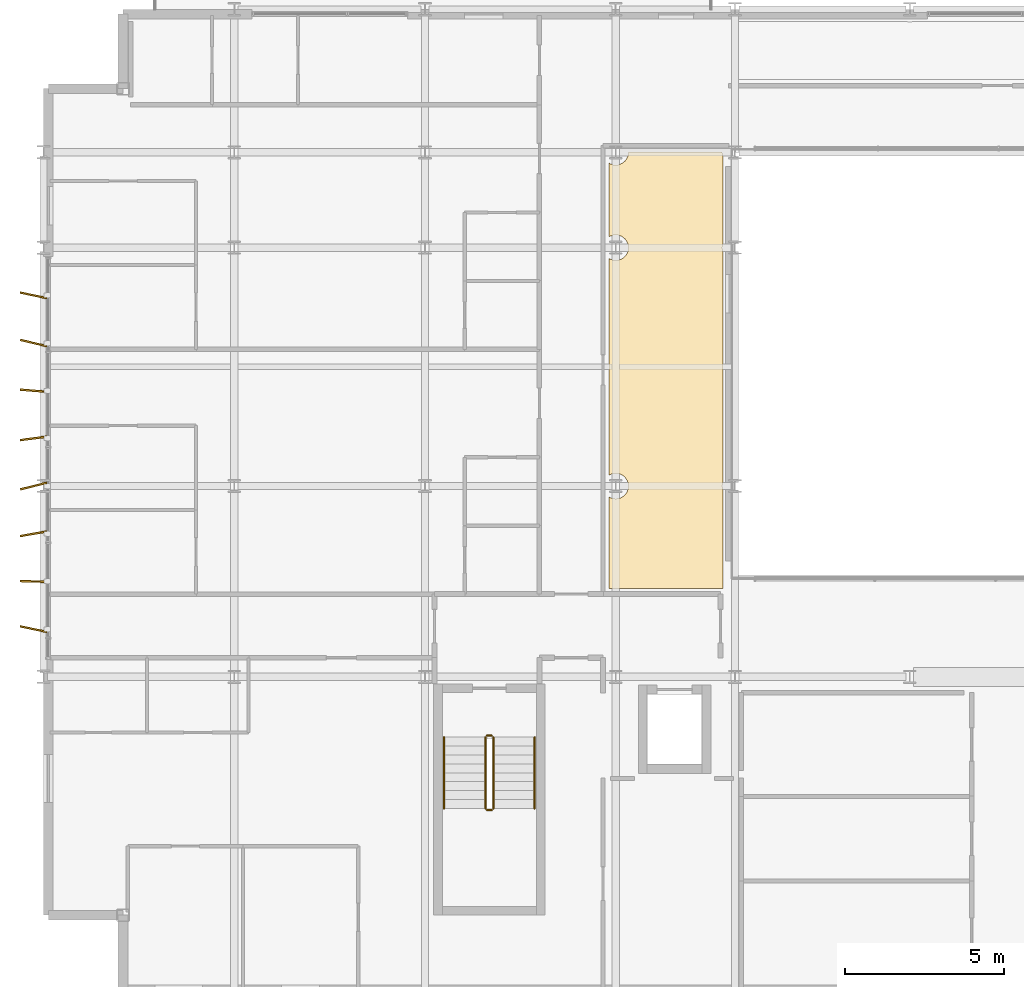
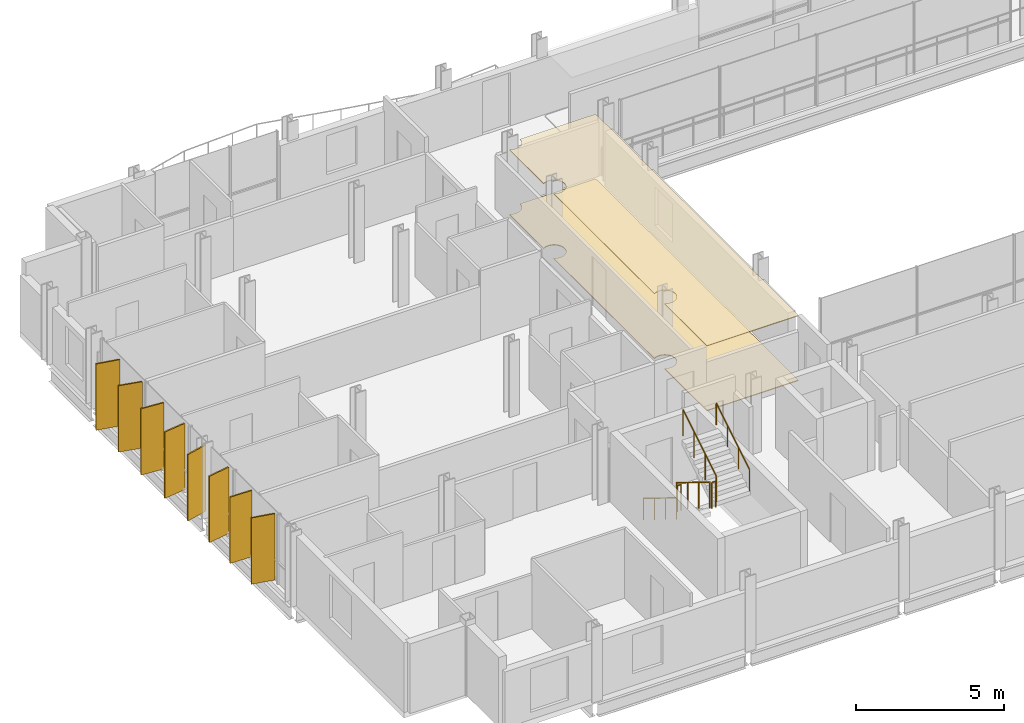
# One storey, part 36 of 38: 8 shading devices, 6 railings, 2 coverings.
"""IFC4 building model written with IfcOpenShell, lengths in metres."""

from ifc_helpers import new_model, si_unit, direction, frame, origin, origin_2d, place, context, subcontext, project, spatial, polyline, rectangle, circle, outline, extrude, material, layer, layer_set, type_object, element, save


model = new_model("IFC4")

# Units and contexts
model_context = context("Model", 3, precision=1e-05, world=origin(), true_north=direction((0.0, 1.0)))
body_context = subcontext(model_context, "Body", "Model", "MODEL_VIEW")
ifc_project = project(units=[si_unit("LENGTHUNIT", "METRE"), si_unit("AREAUNIT", "SQUARE_METRE"), si_unit("VOLUMEUNIT", "CUBIC_METRE"), si_unit("PLANEANGLEUNIT", "RADIAN"), si_unit("MASSUNIT", "GRAM", prefix="KILO")], contexts=[model_context])

# Site, building, storey
site_placement = place(None, origin())
site = spatial("IfcSite", under=ifc_project, at=site_placement, CompositionType="ELEMENT")
building_placement = place(site_placement, origin())
building = spatial("IfcBuilding", under=site, at=building_placement, Name="Brevholm Reach", CompositionType="ELEMENT")
storey_placement = place(building_placement, frame((0.0, 0.0, 141.800048828125)))
storey = spatial("IfcBuildingStorey", under=building, at=storey_placement, Name="L42", CompositionType="ELEMENT", Elevation=141.800048828125)

# Coverings
ifc_material_1 = material(Name="Moisture-Resistant Skimmed Gypsum Plasterboard Ceiling", Category="gypsum")
ifc_layer_1 = layer(ifc_material_1, 0.030029296875)
ifc_layer_set_1 = layer_set([ifc_layer_1], Name="Moisture-Resistant Skimmed Gypsum Plasterboard Ceiling")
covering_type_1 = type_object("IfcCoveringType", Name="COV-CLG-GYP", PredefinedType="CEILING", material=ifc_layer_set_1)
covering_1_placement = place(storey_placement, frame((0.0, 0.0, 2.679931640625)))
element("IfcCovering", 1, at=covering_1_placement, inside=storey, type_object=covering_type_1, Name="L42 Suspended Ceiling L42-53", PredefinedType="CEILING", context=body_context, shape_type="SweptSolid", body=[
    extrude(outline(polyline([(21.3701171875, 23.623779296875), (21.3671875, 23.6162109375), (21.357666015625, 23.577880859375), (21.351806640625, 23.539306640625), (21.35009765625, 23.5), (21.351806640625, 23.460693359375), (21.357666015625, 23.422119140625), (21.3671875, 23.3837890625), (21.3701171875, 23.376220703125), (21.3701171875, 16.123779296875), (21.3671875, 16.1162109375), (21.357666015625, 16.077880859375), (21.351806640625, 16.039306640625), (21.35009765625, 16.0), (21.351806640625, 15.960693359375), (21.357666015625, 15.922119140625), (21.3671875, 15.8837890625), (21.3701171875, 15.876220703125), (21.3701171875, 12.783935546875), (17.783935546875, 12.783935546875), (17.783935546875, 15.663818359375), (17.811279296875, 15.647216796875), (17.846923828125, 15.63037109375), (17.8837890625, 15.6171875), (17.922119140625, 15.607666015625), (17.960693359375, 15.601806640625), (18.0, 15.60009765625), (18.039306640625, 15.601806640625), (18.077880859375, 15.607666015625), (18.1162109375, 15.6171875), (18.153076171875, 15.63037109375), (18.188720703125, 15.647216796875), (18.22216796875, 15.66748046875), (18.25390625, 15.69091796875), (18.28271484375, 15.71728515625), (18.30908203125, 15.74609375), (18.33251953125, 15.77783203125), (18.352783203125, 15.811279296875), (18.36962890625, 15.846923828125), (18.3828125, 15.8837890625), (18.392333984375, 15.922119140625), (18.398193359375, 15.960693359375), (18.39990234375, 16.0), (18.398193359375, 16.039306640625), (18.392333984375, 16.077880859375), (18.3828125, 16.1162109375), (18.36962890625, 16.153076171875), (18.352783203125, 16.188720703125), (18.33251953125, 16.22216796875), (18.30908203125, 16.25390625), (18.28271484375, 16.28271484375), (18.25390625, 16.30908203125), (18.22216796875, 16.33251953125), (18.188720703125, 16.352783203125), (18.153076171875, 16.36962890625), (18.1162109375, 16.3828125), (18.077880859375, 16.392333984375), (18.039306640625, 16.398193359375), (18.0, 16.39990234375), (17.960693359375, 16.398193359375), (17.922119140625, 16.392333984375), (17.8837890625, 16.3828125), (17.846923828125, 16.36962890625), (17.811279296875, 16.352783203125), (17.783935546875, 16.336181640625), (17.783935546875, 23.163818359375), (17.811279296875, 23.147216796875), (17.846923828125, 23.13037109375), (17.8837890625, 23.1171875), (17.922119140625, 23.107666015625), (17.960693359375, 23.101806640625), (18.0, 23.10009765625), (18.039306640625, 23.101806640625), (18.077880859375, 23.107666015625), (18.1162109375, 23.1171875), (18.153076171875, 23.13037109375), (18.188720703125, 23.147216796875), (18.22216796875, 23.16748046875), (18.25390625, 23.19091796875), (18.28271484375, 23.21728515625), (18.30908203125, 23.24609375), (18.33251953125, 23.27783203125), (18.352783203125, 23.311279296875), (18.36962890625, 23.346923828125), (18.3828125, 23.3837890625), (18.392333984375, 23.422119140625), (18.398193359375, 23.460693359375), (18.39990234375, 23.5), (18.398193359375, 23.539306640625), (18.392333984375, 23.577880859375), (18.3828125, 23.6162109375), (18.36962890625, 23.653076171875), (18.352783203125, 23.688720703125), (18.33251953125, 23.72216796875), (18.30908203125, 23.75390625), (18.28271484375, 23.78271484375), (18.25390625, 23.80908203125), (18.22216796875, 23.83251953125), (18.188720703125, 23.852783203125), (18.153076171875, 23.86962890625), (18.1162109375, 23.8828125), (18.077880859375, 23.892333984375), (18.039306640625, 23.898193359375), (18.0, 23.89990234375), (17.960693359375, 23.898193359375), (17.922119140625, 23.892333984375), (17.8837890625, 23.8828125), (17.846923828125, 23.86962890625), (17.811279296875, 23.852783203125), (17.783935546875, 23.836181640625), (17.783935546875, 26.163818359375), (17.811279296875, 26.147216796875), (17.846923828125, 26.13037109375), (17.8837890625, 26.1171875), (17.922119140625, 26.107666015625), (17.960693359375, 26.101806640625), (18.0, 26.10009765625), (18.039306640625, 26.101806640625), (18.077880859375, 26.107666015625), (18.1162109375, 26.1171875), (18.153076171875, 26.13037109375), (18.188720703125, 26.147216796875), (18.22216796875, 26.16748046875), (18.25390625, 26.19091796875), (18.28271484375, 26.21728515625), (18.30908203125, 26.24609375), (18.33251953125, 26.27783203125), (18.352783203125, 26.311279296875), (18.36962890625, 26.346923828125), (18.3828125, 26.3837890625), (18.392333984375, 26.422119140625), (18.398193359375, 26.460693359375), (18.39990234375, 26.5), (18.399169921875, 26.51611328125), (21.350830078125, 26.51611328125), (21.35009765625, 26.5), (21.351806640625, 26.460693359375), (21.357666015625, 26.422119140625), (21.3671875, 26.3837890625), (21.3701171875, 26.376220703125), (21.3701171875, 23.623779296875)])), origin(), (0.0, 0.0, 1.0), 0.030029296875),
])
ifc_material_2 = material(Name="Honed Portland-Aggregate Resin Terrazzo Flooring", Category="concrete")
ifc_layer_2 = layer(ifc_material_2, 0.031982421875)
ifc_layer_set_2 = layer_set([ifc_layer_2], Name="Honed Portland-Aggregate Resin Terrazzo Flooring")
covering_type_2 = type_object("IfcCoveringType", Name="COV-FLR-TRZ", PredefinedType="FLOORING", material=ifc_layer_set_2)
covering_2_placement = place(storey_placement, origin())
element("IfcCovering", 2, at=covering_2_placement, inside=storey, type_object=covering_type_2, Name="L42 Floor Finish L42-53", PredefinedType="FLOORING", context=body_context, shape_type="SweptSolid", body=[
    extrude(outline(polyline([(21.3701171875, 23.623779296875), (21.3671875, 23.6162109375), (21.357666015625, 23.577880859375), (21.351806640625, 23.539306640625), (21.35009765625, 23.5), (21.351806640625, 23.460693359375), (21.357666015625, 23.422119140625), (21.3671875, 23.3837890625), (21.3701171875, 23.376220703125), (21.3701171875, 16.123779296875), (21.3671875, 16.1162109375), (21.357666015625, 16.077880859375), (21.351806640625, 16.039306640625), (21.35009765625, 16.0), (21.351806640625, 15.960693359375), (21.357666015625, 15.922119140625), (21.3671875, 15.8837890625), (21.3701171875, 15.876220703125), (21.3701171875, 12.783935546875), (17.783935546875, 12.783935546875), (17.783935546875, 15.663818359375), (17.811279296875, 15.647216796875), (17.846923828125, 15.63037109375), (17.8837890625, 15.6171875), (17.922119140625, 15.607666015625), (17.960693359375, 15.601806640625), (18.0, 15.60009765625), (18.039306640625, 15.601806640625), (18.077880859375, 15.607666015625), (18.1162109375, 15.6171875), (18.153076171875, 15.63037109375), (18.188720703125, 15.647216796875), (18.22216796875, 15.66748046875), (18.25390625, 15.69091796875), (18.28271484375, 15.71728515625), (18.30908203125, 15.74609375), (18.33251953125, 15.77783203125), (18.352783203125, 15.811279296875), (18.36962890625, 15.846923828125), (18.3828125, 15.8837890625), (18.392333984375, 15.922119140625), (18.398193359375, 15.960693359375), (18.39990234375, 16.0), (18.398193359375, 16.039306640625), (18.392333984375, 16.077880859375), (18.3828125, 16.1162109375), (18.36962890625, 16.153076171875), (18.352783203125, 16.188720703125), (18.33251953125, 16.22216796875), (18.30908203125, 16.25390625), (18.28271484375, 16.28271484375), (18.25390625, 16.30908203125), (18.22216796875, 16.33251953125), (18.188720703125, 16.352783203125), (18.153076171875, 16.36962890625), (18.1162109375, 16.3828125), (18.077880859375, 16.392333984375), (18.039306640625, 16.398193359375), (18.0, 16.39990234375), (17.960693359375, 16.398193359375), (17.922119140625, 16.392333984375), (17.8837890625, 16.3828125), (17.846923828125, 16.36962890625), (17.811279296875, 16.352783203125), (17.783935546875, 16.336181640625), (17.783935546875, 23.163818359375), (17.811279296875, 23.147216796875), (17.846923828125, 23.13037109375), (17.8837890625, 23.1171875), (17.922119140625, 23.107666015625), (17.960693359375, 23.101806640625), (18.0, 23.10009765625), (18.039306640625, 23.101806640625), (18.077880859375, 23.107666015625), (18.1162109375, 23.1171875), (18.153076171875, 23.13037109375), (18.188720703125, 23.147216796875), (18.22216796875, 23.16748046875), (18.25390625, 23.19091796875), (18.28271484375, 23.21728515625), (18.30908203125, 23.24609375), (18.33251953125, 23.27783203125), (18.352783203125, 23.311279296875), (18.36962890625, 23.346923828125), (18.3828125, 23.3837890625), (18.392333984375, 23.422119140625), (18.398193359375, 23.460693359375), (18.39990234375, 23.5), (18.398193359375, 23.539306640625), (18.392333984375, 23.577880859375), (18.3828125, 23.6162109375), (18.36962890625, 23.653076171875), (18.352783203125, 23.688720703125), (18.33251953125, 23.72216796875), (18.30908203125, 23.75390625), (18.28271484375, 23.78271484375), (18.25390625, 23.80908203125), (18.22216796875, 23.83251953125), (18.188720703125, 23.852783203125), (18.153076171875, 23.86962890625), (18.1162109375, 23.8828125), (18.077880859375, 23.892333984375), (18.039306640625, 23.898193359375), (18.0, 23.89990234375), (17.960693359375, 23.898193359375), (17.922119140625, 23.892333984375), (17.8837890625, 23.8828125), (17.846923828125, 23.86962890625), (17.811279296875, 23.852783203125), (17.783935546875, 23.836181640625), (17.783935546875, 26.163818359375), (17.811279296875, 26.147216796875), (17.846923828125, 26.13037109375), (17.8837890625, 26.1171875), (17.922119140625, 26.107666015625), (17.960693359375, 26.101806640625), (18.0, 26.10009765625), (18.039306640625, 26.101806640625), (18.077880859375, 26.107666015625), (18.1162109375, 26.1171875), (18.153076171875, 26.13037109375), (18.188720703125, 26.147216796875), (18.22216796875, 26.16748046875), (18.25390625, 26.19091796875), (18.28271484375, 26.21728515625), (18.30908203125, 26.24609375), (18.33251953125, 26.27783203125), (18.352783203125, 26.311279296875), (18.36962890625, 26.346923828125), (18.3828125, 26.3837890625), (18.392333984375, 26.422119140625), (18.398193359375, 26.460693359375), (18.39990234375, 26.5), (18.399169921875, 26.51611328125), (21.350830078125, 26.51611328125), (21.35009765625, 26.5), (21.351806640625, 26.460693359375), (21.357666015625, 26.422119140625), (21.3671875, 26.3837890625), (21.3701171875, 26.376220703125), (21.3701171875, 23.623779296875)])), origin(), (0.0, 0.0, 1.0), 0.031982421875),
])

# Railings
ifc_material_3 = material(Name="Brushed Stainless Steel EN 1.4401 Continuous Handrail", Category="steel")
railing_type_1 = type_object("IfcRailingType", Name="RAL-HND-950", PredefinedType="HANDRAIL", material=ifc_material_3)
railing_1_placement = place(storey_placement, frame((12.60009765625, 8.10009765625, 0.172119140625)))
element("IfcRailing", 3, at=railing_1_placement, inside=storey, type_object=railing_type_1, Name="L42 ST-1 stair handrail 1", PredefinedType="HANDRAIL", context=body_context, shape_type="SweptSolid", body=[
    extrude(circle(Radius=0.02392578125, at=origin_2d()), frame((0.0, 0.0, 0.8857421875), z_axis=(0.0, -0.851747552033, 0.523952390591), x_axis=(1.0, 0.0, 0.0)), (0.0, 0.0, 1.0), 2.6298828125),
    extrude(circle(Radius=0.02099609375, at=origin_2d()), origin(), (0.0, 0.0, 1.0), 0.86181640625),
    extrude(circle(Radius=0.02099609375, at=origin_2d()), frame((0.0, -0.74658203125, 0.459228515625)), (0.0, 0.0, 1.0), 0.86181640625),
    extrude(circle(Radius=0.02099609375, at=origin_2d()), frame((0.0, -1.493408203125, 0.918701171875)), (0.0, 0.0, 1.0), 0.86181640625),
    extrude(circle(Radius=0.02099609375, at=origin_2d()), frame((0.0, -2.239990234375, 1.3779296875)), (0.0, 0.0, 1.0), 0.86181640625),
])
railing_2_placement = place(storey_placement, frame((15.449951171875, 5.860107421875, 1.72216796875)))
element("IfcRailing", 4, at=railing_2_placement, inside=storey, type_object=railing_type_1, Name="L42 ST-1 stair handrail 2", PredefinedType="HANDRAIL", context=body_context, shape_type="SweptSolid", body=[
    extrude(circle(Radius=0.02392578125, at=origin_2d()), frame((0.0, 0.0, 0.8857421875), z_axis=(0.0, 0.85178898068, 0.523885037382), x_axis=(-1.0, 0.0, 0.0)), (0.0, 0.0, 1.0), 2.629638671875),
    extrude(circle(Radius=0.02099609375, at=origin_2d()), origin(), (0.0, 0.0, 1.0), 0.86181640625),
    extrude(circle(Radius=0.02099609375, at=origin_2d()), frame((0.0, 0.74658203125, 0.459228515625)), (0.0, 0.0, 1.0), 0.86181640625),
    extrude(circle(Radius=0.02099609375, at=origin_2d()), frame((0.0, 1.493408203125, 0.91845703125)), (0.0, 0.0, 1.0), 0.86181640625),
    extrude(circle(Radius=0.02099609375, at=origin_2d()), frame((0.0, 2.239990234375, 1.377685546875)), (0.0, 0.0, 1.0), 0.86181640625),
])
ifc_material_4 = material(Name="Painted Tubular Galvanised Steel S275JR Stair Guard", Category="steel")
railing_type_2 = type_object("IfcRailingType", Name="RAL-STG-1120", PredefinedType="BALUSTRADE", material=ifc_material_4)
railing_3_placement = place(storey_placement, frame((13.89990234375, 8.10009765625, 0.172119140625)))
element("IfcRailing", 5, at=railing_3_placement, inside=storey, type_object=railing_type_2, Name="L42 ST-1 stair guard 1", PredefinedType="BALUSTRADE", context=body_context, shape_type="SweptSolid", body=[
    extrude(circle(Radius=0.02392578125, at=origin_2d()), frame((0.0, 0.0, 1.076171875), z_axis=(0.0, -0.851747552033, 0.523952390591), x_axis=(1.0, 0.0, 0.0)), (0.0, 0.0, 1.0), 2.6298828125),
    extrude(circle(Radius=0.02099609375, at=origin_2d()), origin(), (0.0, 0.0, 1.0), 1.052001953125),
    extrude(circle(Radius=0.02099609375, at=origin_2d()), frame((0.0, -0.74658203125, 0.459228515625)), (0.0, 0.0, 1.0), 1.052001953125),
    extrude(circle(Radius=0.02099609375, at=origin_2d()), frame((0.0, -1.493408203125, 0.918701171875)), (0.0, 0.0, 1.0), 1.052001953125),
    extrude(circle(Radius=0.02099609375, at=origin_2d()), frame((0.0, -2.239990234375, 1.3779296875)), (0.0, 0.0, 1.0), 1.052001953125),
])
railing_4_placement = place(storey_placement, frame((13.949951171875, 5.81005859375, 1.550048828125)))
element("IfcRailing", 6, at=railing_4_placement, inside=storey, type_object=railing_type_2, Name="L42 ST-1 stair guard 2", PredefinedType="BALUSTRADE", context=body_context, shape_type="SweptSolid", body=[
    extrude(circle(Radius=0.02392578125, at=origin_2d()), frame((0.0, 0.0, 1.076171875), z_axis=(1.0, 0.0, 0.0), x_axis=(0.0, 1.0, 0.0)), (0.0, 0.0, 1.0), 0.150146484375),
    extrude(circle(Radius=0.02099609375, at=origin_2d()), origin(), (0.0, 0.0, 1.0), 1.052001953125),
    extrude(circle(Radius=0.02099609375, at=origin_2d()), frame((0.150146484375, 0.0, 0.0)), (0.0, 0.0, 1.0), 1.052001953125),
])
railing_5_placement = place(storey_placement, frame((14.14990234375, 5.860107421875, 1.72216796875)))
element("IfcRailing", 7, at=railing_5_placement, inside=storey, type_object=railing_type_2, Name="L42 ST-1 stair guard 3", PredefinedType="BALUSTRADE", context=body_context, shape_type="SweptSolid", body=[
    extrude(circle(Radius=0.02392578125, at=origin_2d()), frame((0.0, 0.0, 1.076171875), z_axis=(0.0, 0.85178898068, 0.523885037382), x_axis=(-1.0, 0.0, 0.0)), (0.0, 0.0, 1.0), 2.629638671875),
    extrude(circle(Radius=0.02099609375, at=origin_2d()), origin(), (0.0, 0.0, 1.0), 1.052001953125),
    extrude(circle(Radius=0.02099609375, at=origin_2d()), frame((0.0, 0.74658203125, 0.459228515625)), (0.0, 0.0, 1.0), 1.052001953125),
    extrude(circle(Radius=0.02099609375, at=origin_2d()), frame((0.0, 1.493408203125, 0.91845703125)), (0.0, 0.0, 1.0), 1.052001953125),
    extrude(circle(Radius=0.02099609375, at=origin_2d()), frame((0.0, 2.239990234375, 1.377685546875)), (0.0, 0.0, 1.0), 1.052001953125),
])
railing_6_placement = place(storey_placement, frame((13.949951171875, 8.14990234375, 0.0)))
element("IfcRailing", 8, at=railing_6_placement, inside=storey, type_object=railing_type_2, Name="L42 ST-1 stair guard 4", PredefinedType="BALUSTRADE", context=body_context, shape_type="SweptSolid", body=[
    extrude(circle(Radius=0.02392578125, at=origin_2d()), frame((0.0, 0.0, 1.076171875), z_axis=(1.0, 0.0, 0.0), x_axis=(0.0, 1.0, 0.0)), (0.0, 0.0, 1.0), 0.150146484375),
    extrude(circle(Radius=0.02099609375, at=origin_2d()), origin(), (0.0, 0.0, 1.0), 1.052001953125),
    extrude(circle(Radius=0.02099609375, at=origin_2d()), frame((0.150146484375, 0.0, 0.0)), (0.0, 0.0, 1.0), 1.052001953125),
])

# Shading devices
ifc_material_5 = material(Name="Perforated Champagne-Bronze Anodised Aluminium", Category="aluminium")
ifc_layer_3 = layer(ifc_material_5, 0.054931640625)
ifc_layer_set_3 = layer_set([ifc_layer_3], Name="Perforated Champagne-Bronze Anodised Aluminium")
shading_device_type = type_object("IfcShadingDeviceType", Name="SHD-FIN-850", PredefinedType="USERDEFINED", material=ifc_layer_set_3)
for number, where, z_axis, x_axis, name in (
    (9, (-0.31494140625, 11.5, 0.06982421875), (0.0, 0.0, 1.0), (-0.978724385053, 0.205179380307, 0.0), "L42 Perforated Solar Screen Fin 1"),
    (10, (-0.31494140625, 13.0, 0.06982421875), (0.0, 0.0, 1.0), (-0.999637867691, 0.026909728301, 0.0), "L42 Perforated Solar Screen Fin 2"),
    (11, (-0.31494140625, 14.5, 0.06982421875), (0.0, 0.0, 1.0), (-0.985055264423, -0.172238573012, 0.0), "L42 Perforated Solar Screen Fin 3"),
    (12, (-0.31494140625, 16.0, 0.06982421875), (0.0, 0.0, 1.0), (-0.97067873467, -0.240380519301, 0.0), "L42 Perforated Solar Screen Fin 4"),
    (13, (-0.31494140625, 17.5, 0.06982421875), (0.0, 0.0, 1.0), (-0.991610358782, -0.129262896285, 0.0), "L42 Perforated Solar Screen Fin 5"),
    (14, (-0.31494140625, 19.0, 0.06982421875), (0.0, 0.0, 1.0), (-0.996711341381, 0.081033955608, 0.0), "L42 Perforated Solar Screen Fin 6"),
    (15, (-0.31494140625, 20.5, 0.06982421875), (0.0, 0.0, 1.0), (-0.973487158519, 0.228741671321, 0.0), "L42 Perforated Solar Screen Fin 7"),
    (16, (-0.31494140625, 22.0, 0.06982421875), (0.0, 0.0, 1.0), (-0.978724385053, 0.205179380307, 0.0), "L42 Perforated Solar Screen Fin 8"),
):
    element("IfcShadingDevice", number, at=place(storey_placement, frame(where, z_axis=z_axis, x_axis=x_axis)), inside=storey, type_object=shading_device_type, Name=name, ObjectType="SCREEN", PredefinedType="USERDEFINED", context=body_context, shape_type="SweptSolid", body=[
        extrude(rectangle(XDim=0.85009765625, YDim=0.054931640625, at=origin_2d()), origin(), (0.0, 0.0, 1.0), 2.739990234375),
    ])

save(model, "model.ifc")
